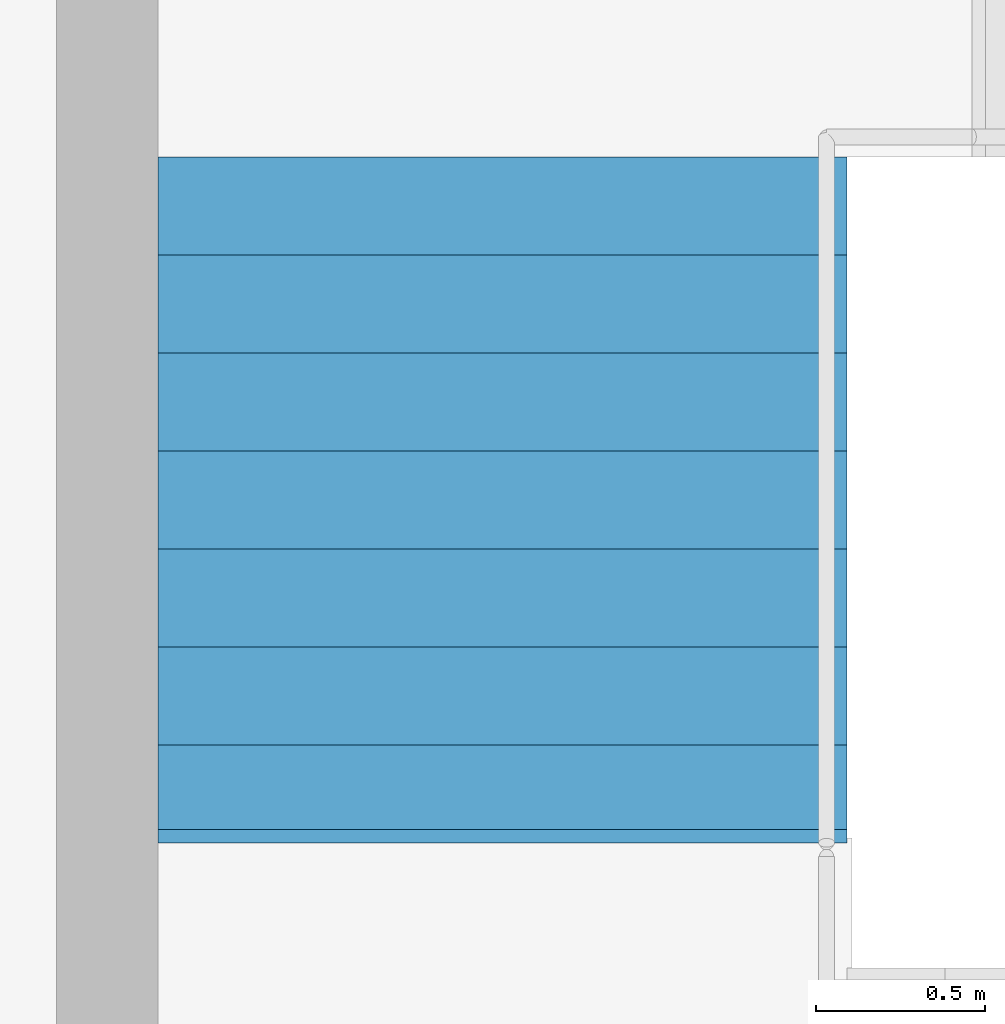
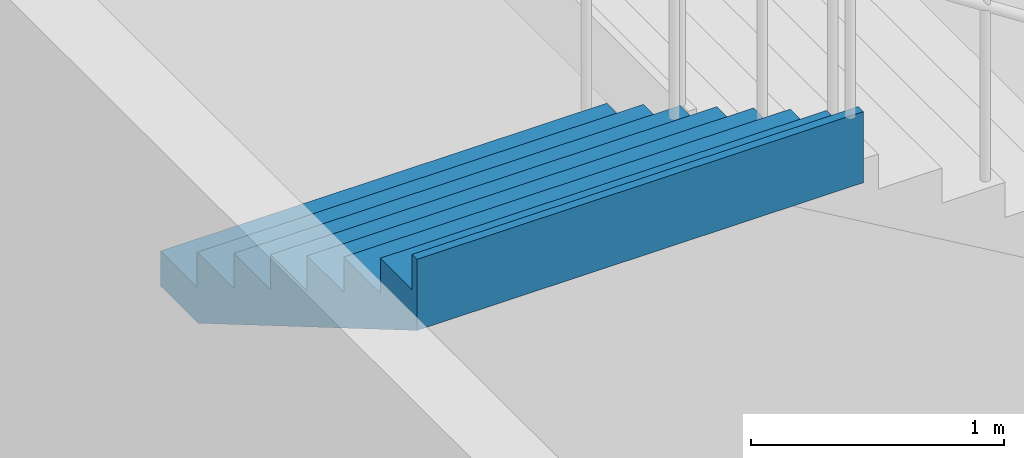
# One storey, part 65 of 72: 1 stair flight, 1 element without a shape of its own.
"""IFC4 building model written with IfcOpenShell, lengths in metres."""

from ifc_helpers import new_model, si_unit, direction, frame, origin, place, context, subcontext, project, spatial, triangles, material, type_object, element, aggregate, save


model = new_model("IFC4")

# Units and contexts
model_context = context("Model", 3, precision=1e-05, world=origin(), true_north=direction((0.0, 1.0)))
body_context = subcontext(model_context, "Body", "Model", "MODEL_VIEW")
ifc_project = project(units=[si_unit("LENGTHUNIT", "METRE"), si_unit("AREAUNIT", "SQUARE_METRE"), si_unit("VOLUMEUNIT", "CUBIC_METRE"), si_unit("PLANEANGLEUNIT", "RADIAN"), si_unit("MASSUNIT", "GRAM", prefix="KILO")], contexts=[model_context])

# Site, building, storey
site_placement = place(None, origin())
site = spatial("IfcSite", under=ifc_project, at=site_placement, CompositionType="ELEMENT")
building_placement = place(site_placement, origin())
building = spatial("IfcBuilding", under=site, at=building_placement, Name="Sillaruma Civic Art Gallery", CompositionType="ELEMENT")
storey_placement = place(building_placement, frame((0.0, 0.0, 10.8798828125)))
storey = spatial("IfcBuildingStorey", under=building, at=storey_placement, Name="L02", CompositionType="ELEMENT", Elevation=10.8798828125)

# Stair, stair flight
ifc_material = material(Name="Concrete H35 (35 MPa)", Category="concrete")
stair_type = type_object("IfcStairType", Name="STR-4F-32", PredefinedType="USERDEFINED", material=ifc_material)
stair_placement = place(storey_placement, origin())
stair = element("IfcStair", 1, at=stair_placement, inside=storey, type_object=stair_type, Name="Protected Exit Stair ST-05 (East Wing) (L02)", ObjectType="THREE_RETURN_STAIR", PredefinedType="USERDEFINED")
stair_flight_type = type_object("IfcStairFlightType", Name="SFL-STR-8", PredefinedType="STRAIGHT", material=ifc_material)
stair_flight_placement = place(storey_placement, frame((143.179931640625, 15.840087890625, 4.080078125), z_axis=(0.0, 0.0, 1.0), x_axis=(0.0, -1.0, 0.0)))
stair_flight = element("IfcStairFlight", 2, at=stair_flight_placement, type_object=stair_flight_type, Name="ST-05 flight 4", NumberOfRisers=8, NumberOfTreads=7, PredefinedType="STRAIGHT", RiserHeight=0.17, TreadLength=0.29, context=body_context, shape_type="Tessellation", body=[
    triangles([(0.0, -1.02001953125, 0.0), (0.29, -1.02001953125, 0.0), (0.296443, -1.02001953125, 0.0), (0.58, -1.02001953125, 0.166223), (0.87, -1.02001953125, 0.336223), (1.16, -1.02001953125, 0.506223), (1.45, -1.02001953125, 0.676223), (1.74, -1.02001953125, 0.846223), (1.990029, -1.02001953125, 0.992792), (2.030029, -1.02001953125, 1.01624), (2.030029, -1.02001953125, 1.36), (1.990029, -1.02001953125, 1.36), (1.990029, -1.02001953125, 1.19), (1.74, -1.02001953125, 1.19), (1.74, -1.02001953125, 1.02), (1.45, -1.02001953125, 1.02), (1.45, -1.02001953125, 0.85), (1.16, -1.02001953125, 0.85), (1.16, -1.02001953125, 0.68), (0.87, -1.02001953125, 0.68), (0.87, -1.02001953125, 0.51), (0.58, -1.02001953125, 0.51), (0.58, -1.02001953125, 0.34), (0.296443, -1.02001953125, 0.34), (0.29, -1.02001953125, 0.34), (0.29, -1.02001953125, 0.17), (0.0, -1.02001953125, 0.17), (0.0, -0.05, 0.0), (0.29, -0.05, 0.0), (0.296443, -0.05, 0.0), (0.58, -0.05, 0.166223), (0.87, -0.05, 0.336223), (1.16, -0.05, 0.506223), (1.45, -0.05, 0.676223), (1.74, -0.05, 0.846223), (1.990029, -0.05, 0.992792), (2.030029, -0.05, 1.01624), (2.030029, -0.05, 1.36), (1.990029, -0.05, 1.36), (1.990029, -0.05, 1.19), (1.74, -0.05, 1.19), (1.74, -0.05, 1.02), (1.45, -0.05, 1.02), (1.45, -0.05, 0.85), (1.16, -0.05, 0.85), (1.16, -0.05, 0.68), (0.87, -0.05, 0.68), (0.87, -0.05, 0.51), (0.58, -0.05, 0.51), (0.58, -0.05, 0.34), (0.296443, -0.05, 0.34), (0.29, -0.05, 0.34), (0.29, -0.05, 0.17), (0.0, -0.05, 0.17), (0.0, -0.0375, 0.0), (0.29, -0.0375, 0.0), (0.296443, -0.0375, 0.0), (0.58, -0.0375, 0.166223), (0.87, -0.0375, 0.336223), (1.16, -0.0375, 0.506223), (1.45, -0.0375, 0.676223), (1.74, -0.0375, 0.846223), (1.990029, -0.0375, 0.992792), (2.030029, -0.0375, 1.01624), (2.030029, -0.0375, 1.36), (1.990029, -0.0375, 1.36), (1.990029, -0.0375, 1.19), (1.74, -0.0375, 1.19), (1.74, -0.0375, 1.02), (1.45, -0.0375, 1.02), (1.45, -0.0375, 0.85), (1.16, -0.0375, 0.85), (1.16, -0.0375, 0.68), (0.87, -0.0375, 0.68), (0.87, -0.0375, 0.51), (0.58, -0.0375, 0.51), (0.58, -0.0375, 0.34), (0.296443, -0.0375, 0.34), (0.29, -0.0375, 0.34), (0.29, -0.0375, 0.17), (0.0, -0.0375, 0.17), (0.0, -0.025, 0.0), (0.29, -0.025, 0.0), (0.296443, -0.025, 0.0), (0.58, -0.025, 0.166223), (0.87, -0.025, 0.336223), (1.16, -0.025, 0.506223), (1.45, -0.025, 0.676223), (1.74, -0.025, 0.846223), (1.990029, -0.025, 0.992792), (2.030029, -0.025, 1.01624), (2.030029, -0.025, 1.36), (1.990029, -0.025, 1.36), (1.990029, -0.025, 1.19), (1.74, -0.025, 1.19), (1.74, -0.025, 1.02), (1.45, -0.025, 1.02), (1.45, -0.025, 0.85), (1.16, -0.025, 0.85), (1.16, -0.025, 0.68), (0.87, -0.025, 0.68), (0.87, -0.025, 0.51), (0.58, -0.025, 0.51), (0.58, -0.025, 0.34), (0.296443, -0.025, 0.34), (0.29, -0.025, 0.34), (0.29, -0.025, 0.17), (0.0, -0.025, 0.17), (0.0, -0.0125, 0.0), (0.29, -0.0125, 0.0), (0.296443, -0.0125, 0.0), (0.58, -0.0125, 0.166223), (0.87, -0.0125, 0.336223), (1.16, -0.0125, 0.506223), (1.45, -0.0125, 0.676223), (1.74, -0.0125, 0.846223), (1.990029, -0.0125, 0.992792), (2.030029, -0.0125, 1.01624), (2.030029, -0.0125, 1.36), (1.990029, -0.0125, 1.36), (1.990029, -0.0125, 1.19), (1.74, -0.0125, 1.19), (1.74, -0.0125, 1.02), (1.45, -0.0125, 1.02), (1.45, -0.0125, 0.85), (1.16, -0.0125, 0.85), (1.16, -0.0125, 0.68), (0.87, -0.0125, 0.68), (0.87, -0.0125, 0.51), (0.58, -0.0125, 0.51), (0.58, -0.0125, 0.34), (0.296443, -0.0125, 0.34), (0.29, -0.0125, 0.34), (0.29, -0.0125, 0.17), (0.0, -0.0125, 0.17), (0.0, 0.0, 0.0), (0.29, 0.0, 0.0), (0.296443, 0.0, 0.0), (0.58, 0.0, 0.166223), (0.87, 0.0, 0.336223), (1.16, 0.0, 0.506223), (1.45, 0.0, 0.676223), (1.74, 0.0, 0.846223), (1.990029, 0.0, 0.992792), (2.030029, 0.0, 1.01624), (2.030029, 0.0, 1.36), (1.990029, 0.0, 1.36), (1.990029, 0.0, 1.19), (1.74, 0.0, 1.19), (1.74, 0.0, 1.02), (1.45, 0.0, 1.02), (1.45, 0.0, 0.85), (1.16, 0.0, 0.85), (1.16, 0.0, 0.68), (0.87, 0.0, 0.68), (0.87, 0.0, 0.51), (0.58, 0.0, 0.51), (0.58, 0.0, 0.34), (0.296443, 0.0, 0.34), (0.29, 0.0, 0.34), (0.29, 0.0, 0.17), (0.0, 0.0, 0.17), (0.0, 0.0125, 0.0), (0.29, 0.0125, 0.0), (0.296443, 0.0125, 0.0), (0.58, 0.0125, 0.166223), (0.87, 0.0125, 0.336223), (1.16, 0.0125, 0.506223), (1.45, 0.0125, 0.676223), (1.74, 0.0125, 0.846223), (1.990029, 0.0125, 0.992792), (2.030029, 0.0125, 1.01624), (2.030029, 0.0125, 1.36), (1.990029, 0.0125, 1.36), (1.990029, 0.0125, 1.19), (1.74, 0.0125, 1.19), (1.74, 0.0125, 1.02), (1.45, 0.0125, 1.02), (1.45, 0.0125, 0.85), (1.16, 0.0125, 0.85), (1.16, 0.0125, 0.68), (0.87, 0.0125, 0.68), (0.87, 0.0125, 0.51), (0.58, 0.0125, 0.51), (0.58, 0.0125, 0.34), (0.296443, 0.0125, 0.34), (0.29, 0.0125, 0.34), (0.29, 0.0125, 0.17), (0.0, 0.0125, 0.17), (0.0, 0.025, 0.0), (0.29, 0.025, 0.0), (0.296443, 0.025, 0.0), (0.58, 0.025, 0.166223), (0.87, 0.025, 0.336223), (1.16, 0.025, 0.506223), (1.45, 0.025, 0.676223), (1.74, 0.025, 0.846223), (1.990029, 0.025, 0.992792), (2.030029, 0.025, 1.01624), (2.030029, 0.025, 1.36), (1.990029, 0.025, 1.36), (1.990029, 0.025, 1.19), (1.74, 0.025, 1.19), (1.74, 0.025, 1.02), (1.45, 0.025, 1.02), (1.45, 0.025, 0.85), (1.16, 0.025, 0.85), (1.16, 0.025, 0.68), (0.87, 0.025, 0.68), (0.87, 0.025, 0.51), (0.58, 0.025, 0.51), (0.58, 0.025, 0.34), (0.296443, 0.025, 0.34), (0.29, 0.025, 0.34), (0.29, 0.025, 0.17), (0.0, 0.025, 0.17), (0.0, 0.0375, 0.0), (0.29, 0.0375, 0.0), (0.296443, 0.0375, 0.0), (0.58, 0.0375, 0.166223), (0.87, 0.0375, 0.336223), (1.16, 0.0375, 0.506223), (1.45, 0.0375, 0.676223), (1.74, 0.0375, 0.846223), (1.990029, 0.0375, 0.992792), (2.030029, 0.0375, 1.01624), (2.030029, 0.0375, 1.36), (1.990029, 0.0375, 1.36), (1.990029, 0.0375, 1.19), (1.74, 0.0375, 1.19), (1.74, 0.0375, 1.02), (1.45, 0.0375, 1.02), (1.45, 0.0375, 0.85), (1.16, 0.0375, 0.85), (1.16, 0.0375, 0.68), (0.87, 0.0375, 0.68), (0.87, 0.0375, 0.51), (0.58, 0.0375, 0.51), (0.58, 0.0375, 0.34), (0.296443, 0.0375, 0.34), (0.29, 0.0375, 0.34), (0.29, 0.0375, 0.17), (0.0, 0.0375, 0.17), (0.0, 0.05, 0.0), (0.29, 0.05, 0.0), (0.296443, 0.05, 0.0), (0.58, 0.05, 0.166223), (0.87, 0.05, 0.336223), (1.16, 0.05, 0.506223), (1.45, 0.05, 0.676223), (1.74, 0.05, 0.846223), (1.990029, 0.05, 0.992792), (2.030029, 0.05, 1.01624), (2.030029, 0.05, 1.36), (1.990029, 0.05, 1.36), (1.990029, 0.05, 1.19), (1.74, 0.05, 1.19), (1.74, 0.05, 1.02), (1.45, 0.05, 1.02), (1.45, 0.05, 0.85), (1.16, 0.05, 0.85), (1.16, 0.05, 0.68), (0.87, 0.05, 0.68), (0.87, 0.05, 0.51), (0.58, 0.05, 0.51), (0.58, 0.05, 0.34), (0.296443, 0.05, 0.34), (0.29, 0.05, 0.34), (0.29, 0.05, 0.17), (0.0, 0.05, 0.17), (0.0, 1.02001953125, 0.0), (0.29, 1.02001953125, 0.0), (0.296443, 1.02001953125, 0.0), (0.58, 1.02001953125, 0.166223), (0.87, 1.02001953125, 0.336223), (1.16, 1.02001953125, 0.506223), (1.45, 1.02001953125, 0.676223), (1.74, 1.02001953125, 0.846223), (1.990029, 1.02001953125, 0.992792), (2.030029, 1.02001953125, 1.01624), (2.030029, 1.02001953125, 1.36), (1.990029, 1.02001953125, 1.36), (1.990029, 1.02001953125, 1.19), (1.74, 1.02001953125, 1.19), (1.74, 1.02001953125, 1.02), (1.45, 1.02001953125, 1.02), (1.45, 1.02001953125, 0.85), (1.16, 1.02001953125, 0.85), (1.16, 1.02001953125, 0.68), (0.87, 1.02001953125, 0.68), (0.87, 1.02001953125, 0.51), (0.58, 1.02001953125, 0.51), (0.58, 1.02001953125, 0.34), (0.296443, 1.02001953125, 0.34), (0.29, 1.02001953125, 0.34), (0.29, 1.02001953125, 0.17), (0.0, 1.02001953125, 0.17)], [[1, 2, 26], [1, 26, 27], [2, 3, 24], [2, 24, 26], [26, 24, 25], [3, 4, 23], [3, 23, 24], [4, 5, 21], [4, 21, 23], [23, 21, 22], [5, 6, 19], [5, 19, 21], [21, 19, 20], [6, 7, 17], [6, 17, 19], [19, 17, 18], [7, 8, 15], [7, 15, 17], [17, 15, 16], [8, 9, 13], [8, 13, 15], [15, 13, 14], [9, 10, 11], [9, 11, 13], [13, 11, 12], [296, 272, 271], [297, 296, 271], [294, 273, 272], [296, 294, 272], [295, 294, 296], [293, 274, 273], [294, 293, 273], [291, 275, 274], [293, 291, 274], [292, 291, 293], [289, 276, 275], [291, 289, 275], [290, 289, 291], [287, 277, 276], [289, 287, 276], [288, 287, 289], [285, 278, 277], [287, 285, 277], [286, 285, 287], [283, 279, 278], [285, 283, 278], [284, 283, 285], [281, 280, 279], [283, 281, 279], [282, 281, 283], [2, 1, 28], [2, 28, 29], [3, 2, 29], [3, 29, 30], [4, 3, 30], [4, 30, 31], [5, 4, 31], [5, 31, 32], [6, 5, 32], [6, 32, 33], [7, 6, 33], [7, 33, 34], [8, 7, 34], [8, 34, 35], [9, 8, 35], [9, 35, 36], [10, 9, 36], [10, 36, 37], [11, 10, 37], [11, 37, 38], [12, 11, 38], [12, 38, 39], [13, 12, 39], [13, 39, 40], [14, 13, 40], [14, 40, 41], [15, 14, 41], [15, 41, 42], [16, 15, 42], [16, 42, 43], [17, 16, 43], [17, 43, 44], [18, 17, 44], [18, 44, 45], [19, 18, 45], [19, 45, 46], [20, 19, 46], [20, 46, 47], [21, 20, 47], [21, 47, 48], [22, 21, 48], [22, 48, 49], [23, 22, 49], [23, 49, 50], [24, 23, 50], [24, 50, 51], [25, 24, 51], [25, 51, 52], [26, 25, 52], [26, 52, 53], [27, 26, 53], [27, 53, 54], [1, 27, 54], [1, 54, 28], [29, 28, 55], [29, 55, 56], [30, 29, 56], [30, 56, 57], [31, 30, 57], [31, 57, 58], [32, 31, 58], [32, 58, 59], [33, 32, 59], [33, 59, 60], [34, 33, 60], [34, 60, 61], [35, 34, 61], [35, 61, 62], [36, 35, 62], [36, 62, 63], [37, 36, 63], [37, 63, 64], [38, 37, 64], [38, 64, 65], [39, 38, 65], [39, 65, 66], [40, 39, 66], [40, 66, 67], [41, 40, 67], [41, 67, 68], [42, 41, 68], [42, 68, 69], [43, 42, 69], [43, 69, 70], [44, 43, 70], [44, 70, 71], [45, 44, 71], [45, 71, 72], [46, 45, 72], [46, 72, 73], [47, 46, 73], [47, 73, 74], [48, 47, 74], [48, 74, 75], [49, 48, 75], [49, 75, 76], [50, 49, 76], [50, 76, 77], [51, 50, 77], [51, 77, 78], [52, 51, 78], [52, 78, 79], [53, 52, 79], [53, 79, 80], [54, 53, 80], [54, 80, 81], [28, 54, 81], [28, 81, 55], [56, 55, 82], [56, 82, 83], [57, 56, 83], [57, 83, 84], [58, 57, 84], [58, 84, 85], [59, 58, 85], [59, 85, 86], [60, 59, 86], [60, 86, 87], [61, 60, 87], [61, 87, 88], [62, 61, 88], [62, 88, 89], [63, 62, 89], [63, 89, 90], [64, 63, 90], [64, 90, 91], [65, 64, 91], [65, 91, 92], [66, 65, 92], [66, 92, 93], [67, 66, 93], [67, 93, 94], [68, 67, 94], [68, 94, 95], [69, 68, 95], [69, 95, 96], [70, 69, 96], [70, 96, 97], [71, 70, 97], [71, 97, 98], [72, 71, 98], [72, 98, 99], [73, 72, 99], [73, 99, 100], [74, 73, 100], [74, 100, 101], [75, 74, 101], [75, 101, 102], [76, 75, 102], [76, 102, 103], [77, 76, 103], [77, 103, 104], [78, 77, 104], [78, 104, 105], [79, 78, 105], [79, 105, 106], [80, 79, 106], [80, 106, 107], [81, 80, 107], [81, 107, 108], [55, 81, 108], [55, 108, 82], [83, 82, 109], [83, 109, 110], [84, 83, 110], [84, 110, 111], [85, 84, 111], [85, 111, 112], [86, 85, 112], [86, 112, 113], [87, 86, 113], [87, 113, 114], [88, 87, 114], [88, 114, 115], [89, 88, 115], [89, 115, 116], [90, 89, 116], [90, 116, 117], [91, 90, 117], [91, 117, 118], [92, 91, 118], [92, 118, 119], [93, 92, 119], [93, 119, 120], [94, 93, 120], [94, 120, 121], [95, 94, 121], [95, 121, 122], [96, 95, 122], [96, 122, 123], [97, 96, 123], [97, 123, 124], [98, 97, 124], [98, 124, 125], [99, 98, 125], [99, 125, 126], [100, 99, 126], [100, 126, 127], [101, 100, 127], [101, 127, 128], [102, 101, 128], [102, 128, 129], [103, 102, 129], [103, 129, 130], [104, 103, 130], [104, 130, 131], [105, 104, 131], [105, 131, 132], [106, 105, 132], [106, 132, 133], [107, 106, 133], [107, 133, 134], [108, 107, 134], [108, 134, 135], [82, 108, 135], [82, 135, 109], [110, 109, 136], [110, 136, 137], [111, 110, 137], [111, 137, 138], [112, 111, 138], [112, 138, 139], [113, 112, 139], [113, 139, 140], [114, 113, 140], [114, 140, 141], [115, 114, 141], [115, 141, 142], [116, 115, 142], [116, 142, 143], [117, 116, 143], [117, 143, 144], [118, 117, 144], [118, 144, 145], [119, 118, 145], [119, 145, 146], [120, 119, 146], [120, 146, 147], [121, 120, 147], [121, 147, 148], [122, 121, 148], [122, 148, 149], [123, 122, 149], [123, 149, 150], [124, 123, 150], [124, 150, 151], [125, 124, 151], [125, 151, 152], [126, 125, 152], [126, 152, 153], [127, 126, 153], [127, 153, 154], [128, 127, 154], [128, 154, 155], [129, 128, 155], [129, 155, 156], [130, 129, 156], [130, 156, 157], [131, 130, 157], [131, 157, 158], [132, 131, 158], [132, 158, 159], [133, 132, 159], [133, 159, 160], [134, 133, 160], [134, 160, 161], [135, 134, 161], [135, 161, 162], [109, 135, 162], [109, 162, 136], [137, 136, 163], [137, 163, 164], [138, 137, 164], [138, 164, 165], [139, 138, 165], [139, 165, 166], [140, 139, 166], [140, 166, 167], [141, 140, 167], [141, 167, 168], [142, 141, 168], [142, 168, 169], [143, 142, 169], [143, 169, 170], [144, 143, 170], [144, 170, 171], [145, 144, 171], [145, 171, 172], [146, 145, 172], [146, 172, 173], [147, 146, 173], [147, 173, 174], [148, 147, 174], [148, 174, 175], [149, 148, 175], [149, 175, 176], [150, 149, 176], [150, 176, 177], [151, 150, 177], [151, 177, 178], [152, 151, 178], [152, 178, 179], [153, 152, 179], [153, 179, 180], [154, 153, 180], [154, 180, 181], [155, 154, 181], [155, 181, 182], [156, 155, 182], [156, 182, 183], [157, 156, 183], [157, 183, 184], [158, 157, 184], [158, 184, 185], [159, 158, 185], [159, 185, 186], [160, 159, 186], [160, 186, 187], [161, 160, 187], [161, 187, 188], [162, 161, 188], [162, 188, 189], [136, 162, 189], [136, 189, 163], [164, 163, 190], [164, 190, 191], [165, 164, 191], [165, 191, 192], [166, 165, 192], [166, 192, 193], [167, 166, 193], [167, 193, 194], [168, 167, 194], [168, 194, 195], [169, 168, 195], [169, 195, 196], [170, 169, 196], [170, 196, 197], [171, 170, 197], [171, 197, 198], [172, 171, 198], [172, 198, 199], [173, 172, 199], [173, 199, 200], [174, 173, 200], [174, 200, 201], [175, 174, 201], [175, 201, 202], [176, 175, 202], [176, 202, 203], [177, 176, 203], [177, 203, 204], [178, 177, 204], [178, 204, 205], [179, 178, 205], [179, 205, 206], [180, 179, 206], [180, 206, 207], [181, 180, 207], [181, 207, 208], [182, 181, 208], [182, 208, 209], [183, 182, 209], [183, 209, 210], [184, 183, 210], [184, 210, 211], [185, 184, 211], [185, 211, 212], [186, 185, 212], [186, 212, 213], [187, 186, 213], [187, 213, 214], [188, 187, 214], [188, 214, 215], [189, 188, 215], [189, 215, 216], [163, 189, 216], [163, 216, 190], [191, 190, 217], [191, 217, 218], [192, 191, 218], [192, 218, 219], [193, 192, 219], [193, 219, 220], [194, 193, 220], [194, 220, 221], [195, 194, 221], [195, 221, 222], [196, 195, 222], [196, 222, 223], [197, 196, 223], [197, 223, 224], [198, 197, 224], [198, 224, 225], [199, 198, 225], [199, 225, 226], [200, 199, 226], [200, 226, 227], [201, 200, 227], [201, 227, 228], [202, 201, 228], [202, 228, 229], [203, 202, 229], [203, 229, 230], [204, 203, 230], [204, 230, 231], [205, 204, 231], [205, 231, 232], [206, 205, 232], [206, 232, 233], [207, 206, 233], [207, 233, 234], [208, 207, 234], [208, 234, 235], [209, 208, 235], [209, 235, 236], [210, 209, 236], [210, 236, 237], [211, 210, 237], [211, 237, 238], [212, 211, 238], [212, 238, 239], [213, 212, 239], [213, 239, 240], [214, 213, 240], [214, 240, 241], [215, 214, 241], [215, 241, 242], [216, 215, 242], [216, 242, 243], [190, 216, 243], [190, 243, 217], [218, 217, 244], [218, 244, 245], [219, 218, 245], [219, 245, 246], [220, 219, 246], [220, 246, 247], [221, 220, 247], [221, 247, 248], [222, 221, 248], [222, 248, 249], [223, 222, 249], [223, 249, 250], [224, 223, 250], [224, 250, 251], [225, 224, 251], [225, 251, 252], [226, 225, 252], [226, 252, 253], [227, 226, 253], [227, 253, 254], [228, 227, 254], [228, 254, 255], [229, 228, 255], [229, 255, 256], [230, 229, 256], [230, 256, 257], [231, 230, 257], [231, 257, 258], [232, 231, 258], [232, 258, 259], [233, 232, 259], [233, 259, 260], [234, 233, 260], [234, 260, 261], [235, 234, 261], [235, 261, 262], [236, 235, 262], [236, 262, 263], [237, 236, 263], [237, 263, 264], [238, 237, 264], [238, 264, 265], [239, 238, 265], [239, 265, 266], [240, 239, 266], [240, 266, 267], [241, 240, 267], [241, 267, 268], [242, 241, 268], [242, 268, 269], [243, 242, 269], [243, 269, 270], [217, 243, 270], [217, 270, 244], [245, 244, 271], [245, 271, 272], [246, 245, 272], [246, 272, 273], [247, 246, 273], [247, 273, 274], [248, 247, 274], [248, 274, 275], [249, 248, 275], [249, 275, 276], [250, 249, 276], [250, 276, 277], [251, 250, 277], [251, 277, 278], [252, 251, 278], [252, 278, 279], [253, 252, 279], [253, 279, 280], [254, 253, 280], [254, 280, 281], [255, 254, 281], [255, 281, 282], [256, 255, 282], [256, 282, 283], [257, 256, 283], [257, 283, 284], [258, 257, 284], [258, 284, 285], [259, 258, 285], [259, 285, 286], [260, 259, 286], [260, 286, 287], [261, 260, 287], [261, 287, 288], [262, 261, 288], [262, 288, 289], [263, 262, 289], [263, 289, 290], [264, 263, 290], [264, 290, 291], [265, 264, 291], [265, 291, 292], [266, 265, 292], [266, 292, 293], [267, 266, 293], [267, 293, 294], [268, 267, 294], [268, 294, 295], [269, 268, 295], [269, 295, 296], [270, 269, 296], [270, 296, 297], [244, 270, 297], [244, 297, 271]], closed=True),
])
aggregate(stair, [stair_flight])

save(model, "model.ifc")
